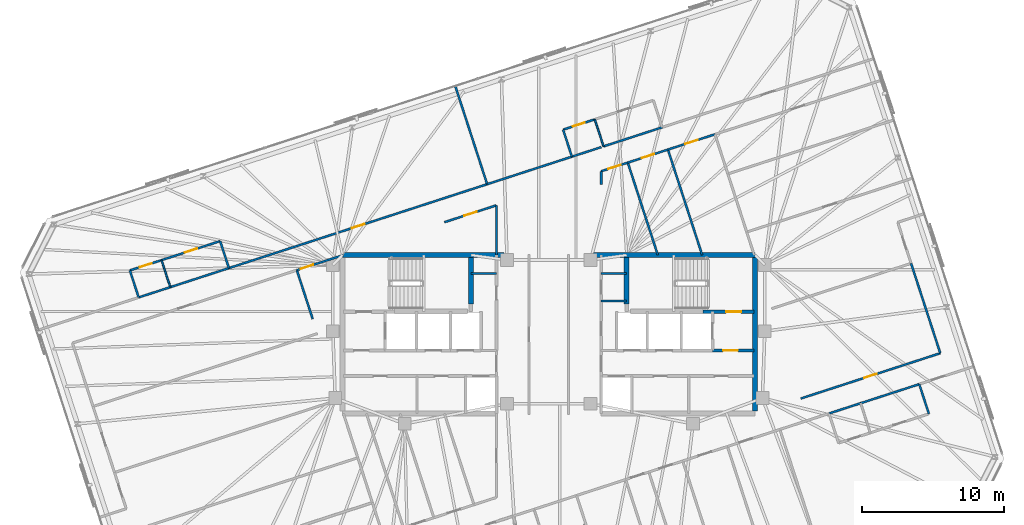
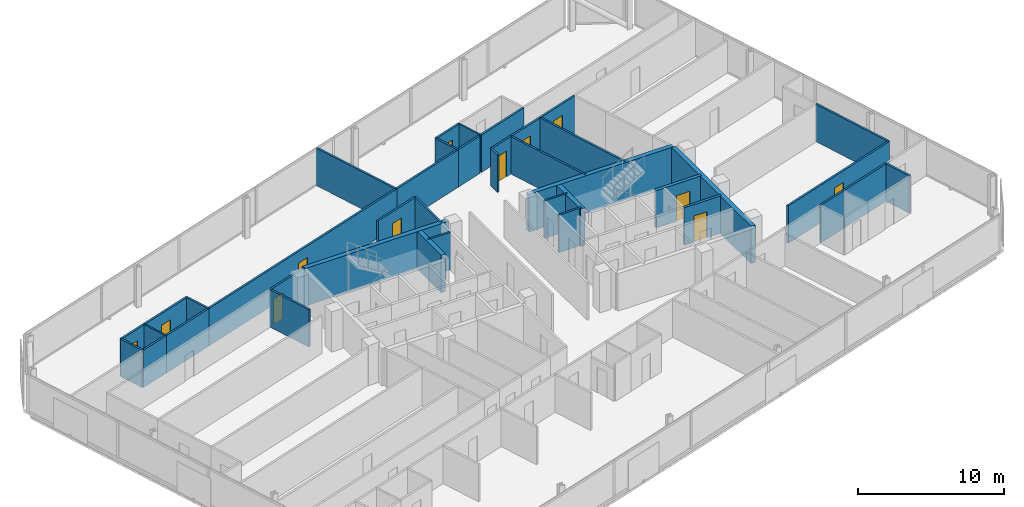
# One storey, part 16 of 19: 40 walls, 12 doors, 12 openings.
"""IFC4 building model written with IfcOpenShell, lengths in metres."""

from ifc_helpers import new_model, si_unit, direction, frame, frame_2d, origin, place, context, subcontext, project, spatial, rectangle, extrude, material, layer, layer_set, type_object, element, fill, save


model = new_model("IFC4")

# Units and contexts
model_context = context("Model", 3, precision=1e-05, world=origin(), true_north=direction((0.0, 1.0)))
body_context = subcontext(model_context, "Body", "Model", "MODEL_VIEW")
ifc_project = project(units=[si_unit("LENGTHUNIT", "METRE"), si_unit("AREAUNIT", "SQUARE_METRE"), si_unit("VOLUMEUNIT", "CUBIC_METRE"), si_unit("PLANEANGLEUNIT", "RADIAN"), si_unit("MASSUNIT", "GRAM", prefix="KILO")], contexts=[model_context])

# Site, building, storey
site_placement = place(None, origin())
site = spatial("IfcSite", under=ifc_project, at=site_placement, CompositionType="ELEMENT")
building_placement = place(site_placement, origin())
building = spatial("IfcBuilding", under=site, at=building_placement, Name="Menara Jurai Vektor", CompositionType="ELEMENT")
storey_placement = place(building_placement, frame((0.0, 0.0, 214.25)))
storey = spatial("IfcBuildingStorey", under=building, at=storey_placement, Name="L56", CompositionType="ELEMENT", Elevation=214.25)

# Wall, opening, door
ifc_material_1 = material(Name="Concrete C40/50", Category="concrete")
ifc_layer_1 = layer(ifc_material_1, 0.25)
ifc_layer_set_1 = layer_set([ifc_layer_1], Name="Concrete C40/50")
wall_type_1 = type_object("IfcWallType", Name="INT-WALL-CORE-250", PredefinedType="STANDARD", material=ifc_layer_set_1)
wall_1_placement = place(storey_placement, frame((10.89990234375, 1.60009765625, 0.0), z_axis=(0.0, 0.0, 1.0), x_axis=(1.0, 0.0, 0.0)))
wall_1 = element("IfcWall", 1, at=wall_1_placement, inside=storey, type_object=wall_type_1, Name="Interior Wall IW-250 L56", PredefinedType="STANDARD", context=body_context, shape_type="SweptSolid", body=[
    extrude(rectangle(XDim=3.60009765625, YDim=0.25, at=frame_2d((1.800048828125, 0.0))), origin(), (0.0, 0.0, 1.0), 3.125),
])
opening_1_placement = place(wall_1_placement, frame((1.6201171875, 0.0, 0.0)))
opening_1 = element("IfcOpeningElement", 2, at=opening_1_placement, cuts=wall_1, Name="Opening D-L56-ST2", PredefinedType="OPENING", context=body_context, shape_type="SweptSolid", body=[
    extrude(rectangle(XDim=1.050048828125, YDim=2.14990234375, at=frame_2d((0.52490234375, 1.074951171875))), frame((0.0, 0.135009765625, 0.0), z_axis=(0.0, -1.0, 0.0), x_axis=(1.0, 0.0, 0.0)), (0.0, 0.0, 1.0), 0.27001953125),
])
ifc_material_2 = material(Name="Fire-Rated Steel Door", Category="steel")
door_type_1 = type_object("IfcDoorType", Name="DR-STAIR-1050", OperationType="NOTDEFINED", PredefinedType="DOOR", material=ifc_material_2)
door_1_placement = place(opening_1_placement, origin())
door_1 = element("IfcDoor", 3, at=door_1_placement, inside=storey, type_object=door_type_1, Name="Exit Stair ST2 Door L56", OperationType="SINGLE_SWING_LEFT", OverallHeight=2.14990234375, OverallWidth=1.050048828125, PredefinedType="DOOR", context=body_context, shape_type="SweptSolid", body=[
    extrude(rectangle(XDim=1.050048828125, YDim=2.14990234375, at=frame_2d((0.52490234375, 1.074951171875))), frame((0.0, 0.02490234375, 0.0), z_axis=(0.0, -1.0, 0.0), x_axis=(1.0, 0.0, 0.0)), (0.0, 0.0, 1.0), 0.050048828125),
])
fill(opening_1, door_1)

wall_2_placement = place(storey_placement, frame((11.550048828125, -1.14990234375, 0.0), z_axis=(0.0, 0.0, 1.0), x_axis=(1.0, 0.0, 0.0)))
wall_2 = element("IfcWall", 4, at=wall_2_placement, inside=storey, type_object=wall_type_1, Name="Interior Wall IW-250 L56", PredefinedType="STANDARD", context=body_context, shape_type="SweptSolid", body=[
    extrude(rectangle(XDim=2.949951171875, YDim=0.199951171875, at=frame_2d((1.47509765625, 0.0))), origin(), (0.0, 0.0, 1.0), 3.125),
])
opening_2_placement = place(wall_2_placement, frame((0.75, 0.0, 0.0)))
opening_2 = element("IfcOpeningElement", 5, at=opening_2_placement, cuts=wall_2, Name="Opening D-L56-FFE", PredefinedType="OPENING", context=body_context, shape_type="SweptSolid", body=[
    extrude(rectangle(XDim=1.050048828125, YDim=2.179931640625, at=frame_2d((0.52490234375, 1.08984375))), frame((0.0, 0.10986328125, 0.0), z_axis=(0.0, -1.0, 0.0), x_axis=(1.0, 0.0, 0.0)), (0.0, 0.0, 1.0), 0.219970703125),
])
ifc_material_3 = material(Name="Fire-Rated Timber Door", Category="wood")
door_type_2 = type_object("IfcDoorType", Name="DR-LOBBY-1050", OperationType="NOTDEFINED", PredefinedType="DOOR", material=ifc_material_3)
door_2_placement = place(opening_2_placement, origin())
door_2 = element("IfcDoor", 6, at=door_2_placement, inside=storey, type_object=door_type_2, Name="Fire Lift Lobby Door E L56", OperationType="SINGLE_SWING_LEFT", OverallHeight=2.179931640625, OverallWidth=1.050048828125, PredefinedType="DOOR", context=body_context, shape_type="SweptSolid", body=[
    extrude(rectangle(XDim=1.050048828125, YDim=2.179931640625, at=frame_2d((0.52490234375, 1.08984375))), frame((0.0, 0.02490234375, 0.0), z_axis=(0.0, -1.0, 0.0), x_axis=(1.0, 0.0, 0.0)), (0.0, 0.0, 1.0), 0.050048828125),
])
fill(opening_2, door_2)

# Walls
ifc_material_4 = material(Name="Gypsum Fireboard Partition", Category="gypsum")
ifc_layer_2 = layer(ifc_material_4, 0.14990234375)
ifc_layer_set_2 = layer_set([ifc_layer_2], Name="Gypsum Fireboard Partition")
wall_type_2 = type_object("IfcWallType", Name="INT-WALL-CORR-150", PredefinedType="PARTITIONING", material=ifc_layer_set_2)
for number, where, z_axis, x_axis, name in (
    (7, (-5.5, 4.300048828125, 0.0), (0.0, 0.0, 1.0), (1.0, 0.0, 0.0), "Interior Wall IW-150 L56"),
    (8, (3.699951171875, 4.300048828125, 0.0), (0.0, 0.0, 1.0), (1.0, 0.0, 0.0), "Interior Wall IW-150 L56"),
    (9, (3.699951171875, 2.35009765625, 0.0), (0.0, 0.0, 1.0), (1.0, 0.0, 0.0), "Interior Wall IW-150 L56"),
):
    element("IfcWall", number, at=place(storey_placement, frame(where, z_axis=z_axis, x_axis=x_axis)), inside=storey, type_object=wall_type_2, Name=name, PredefinedType="PARTITIONING", context=body_context, shape_type="SweptSolid", body=[
        extrude(rectangle(XDim=1.800048828125, YDim=0.14990234375, at=frame_2d((0.89990234375, 0.0))), origin(), (0.0, 0.0, 1.0), 3.125),
    ])

# Wall, opening, door
wall_3_placement = place(storey_placement, frame((-22.586181640625, 4.676513671875, 0.0), z_axis=(0.0, 0.0, 1.0), x_axis=(0.951057743275, 0.309013218095, 0.0)))
wall_3 = element("IfcWall", 10, at=wall_3_placement, inside=storey, type_object=wall_type_2, Name="Interior Wall IW-150 L56", PredefinedType="PARTITIONING", context=body_context, shape_type="SweptSolid", body=[
    extrude(rectangle(XDim=19.1708984375, YDim=0.14990234375, at=frame_2d((9.58544921875, 0.0))), origin(), (0.0, 0.0, 1.0), 3.125),
])
opening_3_placement = place(wall_3_placement, frame((9.110595703125, 0.0, 0.0)))
opening_3 = element("IfcOpeningElement", 11, at=opening_3_placement, cuts=wall_3, Name="Opening D56-09", PredefinedType="OPENING", context=body_context, shape_type="SweptSolid", body=[
    extrude(rectangle(XDim=0.949951171875, YDim=2.14990234375, at=frame_2d((0.47509765625, 1.074951171875))), frame((0.0, 0.0849609375, 0.0), z_axis=(0.0, -1.0, 0.0), x_axis=(1.0, 0.0, 0.0)), (0.0, 0.0, 1.0), 0.169921875),
])
ifc_material_5 = material(Name="Solid Core Timber Fire Door", Category="wood")
door_type_3 = type_object("IfcDoorType", Name="DR-ENTRY-950", OperationType="NOTDEFINED", PredefinedType="DOOR", material=ifc_material_5)
door_3_placement = place(opening_3_placement, origin())
door_3 = element("IfcDoor", 12, at=door_3_placement, inside=storey, type_object=door_type_3, Name="Interior Door D56-09", OperationType="SINGLE_SWING_RIGHT", OverallHeight=2.14990234375, OverallWidth=0.949951171875, PredefinedType="DOOR", context=body_context, shape_type="SweptSolid", body=[
    extrude(rectangle(XDim=0.949951171875, YDim=2.14990234375, at=frame_2d((0.47509765625, 1.074951171875))), frame((0.0, 0.02490234375, 0.0), z_axis=(0.0, -1.0, 0.0), x_axis=(1.0, 0.0, 0.0)), (0.0, 0.0, 1.0), 0.050048828125),
])
fill(opening_3, door_3)

# Walls
wall_4_placement = place(storey_placement, frame((-28.958251953125, 2.606201171875, 0.0), z_axis=(0.0, 0.0, 1.0), x_axis=(0.951076048914, 0.308956872689, 0.0)))
element("IfcWall", 13, at=wall_4_placement, inside=storey, type_object=wall_type_2, Name="Interior Wall IW-150 L56", PredefinedType="PARTITIONING", context=body_context, shape_type="SweptSolid", body=[
    extrude(rectangle(XDim=2.35009765625, YDim=0.14990234375, at=frame_2d((1.175048828125, 0.0))), origin(), (0.0, 0.0, 1.0), 3.125),
])
wall_5_placement = place(storey_placement, frame((-26.72314453125, 3.332275390625, 0.0), z_axis=(0.0, 0.0, 1.0), x_axis=(0.951052627573, 0.309028962374, 0.0)))
element("IfcWall", 14, at=wall_5_placement, inside=storey, type_object=wall_type_2, Name="Interior Wall IW-150 L56", PredefinedType="PARTITIONING", context=body_context, shape_type="SweptSolid", body=[
    extrude(rectangle(XDim=4.349853515625, YDim=0.14990234375, at=frame_2d((2.1748046875, 0.0))), origin(), (0.0, 0.0, 1.0), 3.125),
])
wall_6_placement = place(storey_placement, frame((-4.353515625, 10.6005859375, 0.0), z_axis=(0.0, 0.0, 1.0), x_axis=(0.951050896078, 0.30903429109, 0.0)))
element("IfcWall", 15, at=wall_6_placement, inside=storey, type_object=wall_type_2, Name="Interior Wall IW-150 L56", PredefinedType="PARTITIONING", context=body_context, shape_type="SweptSolid", body=[
    extrude(rectangle(XDim=6.2900390625, YDim=0.14990234375, at=frame_2d((3.14501953125, 0.0))), origin(), (0.0, 0.0, 1.0), 3.125),
])
wall_7_placement = place(storey_placement, frame((1.628662109375, 12.54443359375, 0.0), z_axis=(0.0, 0.0, 1.0), x_axis=(0.951087596826, 0.308921321963, 0.0)))
element("IfcWall", 16, at=wall_7_placement, inside=storey, type_object=wall_type_2, Name="Interior Wall IW-150 L56", PredefinedType="PARTITIONING", context=body_context, shape_type="SweptSolid", body=[
    extrude(rectangle(XDim=2.177978515625, YDim=0.14990234375, at=frame_2d((1.0888671875, 0.0))), origin(), (0.0, 0.0, 1.0), 3.125),
])
wall_8_placement = place(storey_placement, frame((3.86376953125, 13.2705078125, 0.0), z_axis=(0.0, 0.0, 1.0), x_axis=(0.951052627573, 0.309028962374, 0.0)))
element("IfcWall", 17, at=wall_8_placement, inside=storey, type_object=wall_type_2, Name="Interior Wall IW-150 L56", PredefinedType="PARTITIONING", context=body_context, shape_type="SweptSolid", body=[
    extrude(rectangle(XDim=4.349853515625, YDim=0.14990234375, at=frame_2d((2.1748046875, 0.0))), origin(), (0.0, 0.0, 1.0), 3.125),
])
wall_9_placement = place(storey_placement, frame((19.7802734375, -5.587890625, 0.0), z_axis=(0.0, 0.0, 1.0), x_axis=(0.951076048914, 0.308956872689, 0.0)))
element("IfcWall", 18, at=wall_9_placement, inside=storey, type_object=wall_type_2, Name="Interior Wall IW-150 L56", PredefinedType="PARTITIONING", context=body_context, shape_type="SweptSolid", body=[
    extrude(rectangle(XDim=2.35009765625, YDim=0.14990234375, at=frame_2d((1.175048828125, 0.0))), origin(), (0.0, 0.0, 1.0), 3.125),
])
wall_10_placement = place(storey_placement, frame((22.015380859375, -4.86181640625, 0.0), z_axis=(0.0, 0.0, 1.0), x_axis=(0.951052627573, 0.309028962374, 0.0)))
element("IfcWall", 19, at=wall_10_placement, inside=storey, type_object=wall_type_2, Name="Interior Wall IW-150 L56", PredefinedType="PARTITIONING", context=body_context, shape_type="SweptSolid", body=[
    extrude(rectangle(XDim=4.349853515625, YDim=0.14990234375, at=frame_2d((2.1748046875, 0.0))), origin(), (0.0, 0.0, 1.0), 3.125),
])
wall_11_placement = place(storey_placement, frame((3.7001953125, 10.586669921875, 0.0), z_axis=(0.0, 0.0, 1.0), x_axis=(-0.000789889169, 0.999999688038, 0.0)))
element("IfcWall", 20, at=wall_11_placement, inside=storey, type_object=wall_type_2, Name="Interior Wall IW-150 L56", PredefinedType="PARTITIONING", context=body_context, shape_type="SweptSolid", body=[
    extrude(rectangle(XDim=0.92724609375, YDim=0.14990234375, at=frame_2d((0.463623046875, 0.0))), origin(), (0.0, 0.0, 1.0), 3.125),
])

# Wall, opening, door
wall_12_placement = place(storey_placement, frame((3.699462890625, 11.513916015625, 0.0), z_axis=(0.0, 0.0, 1.0), x_axis=(0.951068617763, 0.308979747405, 0.0)))
wall_12 = element("IfcWall", 21, at=wall_12_placement, inside=storey, type_object=wall_type_2, Name="Interior Wall IW-150 L56", PredefinedType="PARTITIONING", context=body_context, shape_type="SweptSolid", body=[
    extrude(rectangle(XDim=1.972900390625, YDim=0.14990234375, at=frame_2d((0.986328125, 0.0))), origin(), (0.0, 0.0, 1.0), 3.125),
])
opening_4_placement = place(wall_12_placement, frame((0.526611328125, 0.0, 0.0)))
opening_4 = element("IfcOpeningElement", 22, at=opening_4_placement, cuts=wall_12, Name="Opening D56-39", PredefinedType="OPENING", context=body_context, shape_type="SweptSolid", body=[
    extrude(rectangle(XDim=0.919921875, YDim=2.14990234375, at=frame_2d((0.4599609375, 1.074951171875))), frame((0.0, 0.0849609375, 0.0), z_axis=(0.0, -1.0, 0.0), x_axis=(1.0, 0.0, 0.0)), (0.0, 0.0, 1.0), 0.169921875),
])
door_4_placement = place(opening_4_placement, origin())
door_4 = element("IfcDoor", 23, at=door_4_placement, inside=storey, type_object=door_type_3, Name="Interior Door D56-39", OperationType="SINGLE_SWING_RIGHT", OverallHeight=2.14990234375, OverallWidth=0.919921875, PredefinedType="DOOR", context=body_context, shape_type="SweptSolid", body=[
    extrude(rectangle(XDim=0.919921875, YDim=2.14990234375, at=frame_2d((0.4599609375, 1.074951171875))), frame((0.0, 0.02490234375, 0.0), z_axis=(0.0, -1.0, 0.0), x_axis=(1.0, 0.0, 0.0)), (0.0, 0.0, 1.0), 0.050048828125),
])
fill(opening_4, door_4)

wall_13_placement = place(storey_placement, frame((5.575927734375, 12.12353515625, 0.0), z_axis=(0.0, 0.0, 1.0), x_axis=(0.951049123732, 0.309039745419, 0.0)))
wall_13 = element("IfcWall", 24, at=wall_13_placement, inside=storey, type_object=wall_type_2, Name="Interior Wall IW-150 L56", PredefinedType="PARTITIONING", context=body_context, shape_type="SweptSolid", body=[
    extrude(rectangle(XDim=2.97900390625, YDim=0.14990234375, at=frame_2d((1.489501953125, 0.0))), origin(), (0.0, 0.0, 1.0), 3.125),
])
opening_5_placement = place(wall_13_placement, frame((1.029541015625, 0.0, 0.0)))
opening_5 = element("IfcOpeningElement", 25, at=opening_5_placement, cuts=wall_13, Name="Opening D56-40", PredefinedType="OPENING", context=body_context, shape_type="SweptSolid", body=[
    extrude(rectangle(XDim=0.919921875, YDim=2.14990234375, at=frame_2d((0.4599609375, 1.074951171875))), frame((0.0, 0.0849609375, 0.0), z_axis=(0.0, -1.0, 0.0), x_axis=(1.0, 0.0, 0.0)), (0.0, 0.0, 1.0), 0.169921875),
])
door_5_placement = place(opening_5_placement, origin())
door_5 = element("IfcDoor", 26, at=door_5_placement, inside=storey, type_object=door_type_3, Name="Interior Door D56-40", OperationType="SINGLE_SWING_LEFT", OverallHeight=2.14990234375, OverallWidth=0.919921875, PredefinedType="DOOR", context=body_context, shape_type="SweptSolid", body=[
    extrude(rectangle(XDim=0.919921875, YDim=2.14990234375, at=frame_2d((0.4599609375, 1.074951171875))), frame((0.0, 0.02490234375, 0.0), z_axis=(0.0, -1.0, 0.0), x_axis=(1.0, 0.0, 0.0)), (0.0, 0.0, 1.0), 0.050048828125),
])
fill(opening_5, door_5)

wall_14_placement = place(storey_placement, frame((8.4091796875, 13.044189453125, 0.0), z_axis=(0.0, 0.0, 1.0), x_axis=(0.951054104561, 0.309024416831, 0.0)))
wall_14 = element("IfcWall", 27, at=wall_14_placement, inside=storey, type_object=wall_type_2, Name="Interior Wall IW-150 L56", PredefinedType="PARTITIONING", context=body_context, shape_type="SweptSolid", body=[
    extrude(rectangle(XDim=3.491943359375, YDim=0.14990234375, at=frame_2d((1.74609375, 0.0))), origin(), (0.0, 0.0, 1.0), 3.125),
])
opening_6_placement = place(wall_14_placement, frame((1.285888671875, 0.0, 0.0)))
opening_6 = element("IfcOpeningElement", 28, at=opening_6_placement, cuts=wall_14, Name="Opening D56-41", PredefinedType="OPENING", context=body_context, shape_type="SweptSolid", body=[
    extrude(rectangle(XDim=0.919921875, YDim=2.14990234375, at=frame_2d((0.4599609375, 1.074951171875))), frame((0.0, 0.0849609375, 0.0), z_axis=(0.0, -1.0, 0.0), x_axis=(1.0, 0.0, 0.0)), (0.0, 0.0, 1.0), 0.169921875),
])
door_6_placement = place(opening_6_placement, origin())
door_6 = element("IfcDoor", 29, at=door_6_placement, inside=storey, type_object=door_type_3, Name="Interior Door D56-41", OperationType="SINGLE_SWING_RIGHT", OverallHeight=2.14990234375, OverallWidth=0.919921875, PredefinedType="DOOR", context=body_context, shape_type="SweptSolid", body=[
    extrude(rectangle(XDim=0.919921875, YDim=2.14990234375, at=frame_2d((0.4599609375, 1.074951171875))), frame((0.0, 0.02490234375, 0.0), z_axis=(0.0, -1.0, 0.0), x_axis=(1.0, 0.0, 0.0)), (0.0, 0.0, 1.0), 0.050048828125),
])
fill(opening_6, door_6)

wall_15_placement = place(storey_placement, frame((-17.79150390625, 4.531005859375, 0.0), z_axis=(0.0, 0.0, 1.0), x_axis=(0.951047546178, 0.309044600193, 0.0)))
wall_15 = element("IfcWall", 30, at=wall_15_placement, inside=storey, type_object=wall_type_2, Name="Interior Wall IW-150 L56", PredefinedType="PARTITIONING", context=body_context, shape_type="SweptSolid", body=[
    extrude(rectangle(XDim=3.4609375, YDim=0.14990234375, at=frame_2d((1.73046875, 0.0))), origin(), (0.0, 0.0, 1.0), 3.125),
])
opening_7_placement = place(wall_15_placement, frame((0.301513671875, 0.0, 0.0)))
opening_7 = element("IfcOpeningElement", 31, at=opening_7_placement, cuts=wall_15, Name="Opening D56-42", PredefinedType="OPENING", context=body_context, shape_type="SweptSolid", body=[
    extrude(rectangle(XDim=0.919921875, YDim=2.14990234375, at=frame_2d((0.4599609375, 1.074951171875))), frame((0.0, 0.0849609375, 0.0), z_axis=(0.0, -1.0, 0.0), x_axis=(1.0, 0.0, 0.0)), (0.0, 0.0, 1.0), 0.169921875),
])
door_7_placement = place(opening_7_placement, origin())
door_7 = element("IfcDoor", 32, at=door_7_placement, inside=storey, type_object=door_type_3, Name="Interior Door D56-42", OperationType="SINGLE_SWING_LEFT", OverallHeight=2.14990234375, OverallWidth=0.919921875, PredefinedType="DOOR", context=body_context, shape_type="SweptSolid", body=[
    extrude(rectangle(XDim=0.919921875, YDim=2.14990234375, at=frame_2d((0.4599609375, 1.074951171875))), frame((0.0, 0.02490234375, 0.0), z_axis=(0.0, -1.0, 0.0), x_axis=(1.0, 0.0, 0.0)), (0.0, 0.0, 1.0), 0.050048828125),
])
fill(opening_7, door_7)

wall_16_placement = place(storey_placement, frame((-7.37158203125, 7.91650390625, 0.0), z_axis=(0.0, 0.0, 1.0), x_axis=(0.951052654993, 0.309028877989, 0.0)))
wall_16 = element("IfcWall", 33, at=wall_16_placement, inside=storey, type_object=wall_type_2, Name="Interior Wall IW-150 L56", PredefinedType="PARTITIONING", context=body_context, shape_type="SweptSolid", body=[
    extrude(rectangle(XDim=3.86083984375, YDim=0.14990234375, at=frame_2d((1.930419921875, 0.0))), origin(), (0.0, 0.0, 1.0), 3.125),
])
opening_8_placement = place(wall_16_placement, frame((1.470458984375, 0.0, 0.0)))
opening_8 = element("IfcOpeningElement", 34, at=opening_8_placement, cuts=wall_16, Name="Opening D56-43", PredefinedType="OPENING", context=body_context, shape_type="SweptSolid", body=[
    extrude(rectangle(XDim=0.919921875, YDim=2.14990234375, at=frame_2d((0.4599609375, 1.074951171875))), frame((0.0, 0.0849609375, 0.0), z_axis=(0.0, -1.0, 0.0), x_axis=(1.0, 0.0, 0.0)), (0.0, 0.0, 1.0), 0.169921875),
])
door_8_placement = place(opening_8_placement, origin())
door_8 = element("IfcDoor", 35, at=door_8_placement, inside=storey, type_object=door_type_3, Name="Interior Door D56-43", OperationType="SINGLE_SWING_RIGHT", OverallHeight=2.14990234375, OverallWidth=0.919921875, PredefinedType="DOOR", context=body_context, shape_type="SweptSolid", body=[
    extrude(rectangle(XDim=0.919921875, YDim=2.14990234375, at=frame_2d((0.4599609375, 1.074951171875))), frame((0.0, 0.02490234375, 0.0), z_axis=(0.0, -1.0, 0.0), x_axis=(1.0, 0.0, 0.0)), (0.0, 0.0, 1.0), 0.050048828125),
])
fill(opening_8, door_8)

# Wall
wall_17_placement = place(storey_placement, frame((-3.7001953125, 5.599853515625, 0.0), z_axis=(0.0, 0.0, 1.0), x_axis=(0.000139120755, 0.999999990323, 0.0)))
element("IfcWall", 36, at=wall_17_placement, inside=storey, type_object=wall_type_2, Name="Interior Wall IW-150 L56", PredefinedType="PARTITIONING", context=body_context, shape_type="SweptSolid", body=[
    extrude(rectangle(XDim=3.509765625, YDim=0.14990234375, at=frame_2d((1.7548828125, 0.0))), origin(), (0.0, 0.0, 1.0), 3.125),
])

# Wall, opening, door
wall_18_placement = place(storey_placement, frame((17.791259765625, -4.53076171875, 0.0), z_axis=(0.0, 0.0, 1.0), x_axis=(0.951056769902, 0.309016213852, 0.0)))
wall_18 = element("IfcWall", 37, at=wall_18_placement, inside=storey, type_object=wall_type_2, Name="Interior Wall IW-150 L56", PredefinedType="PARTITIONING", context=body_context, shape_type="SweptSolid", body=[
    extrude(rectangle(XDim=10.35205078125, YDim=0.14990234375, at=frame_2d((5.176025390625, 0.0))), origin(), (0.0, 0.0, 1.0), 3.125),
])
opening_9_placement = place(wall_18_placement, frame((4.716064453125, 0.0, 0.0)))
opening_9 = element("IfcOpeningElement", 38, at=opening_9_placement, cuts=wall_18, Name="Opening D56-44", PredefinedType="OPENING", context=body_context, shape_type="SweptSolid", body=[
    extrude(rectangle(XDim=0.919921875, YDim=2.14990234375, at=frame_2d((0.4599609375, 1.074951171875))), frame((0.0, 0.0849609375, 0.0), z_axis=(0.0, -1.0, 0.0), x_axis=(1.0, 0.0, 0.0)), (0.0, 0.0, 1.0), 0.169921875),
])
door_9_placement = place(opening_9_placement, origin())
door_9 = element("IfcDoor", 39, at=door_9_placement, inside=storey, type_object=door_type_3, Name="Interior Door D56-44", OperationType="SINGLE_SWING_LEFT", OverallHeight=2.14990234375, OverallWidth=0.919921875, PredefinedType="DOOR", context=body_context, shape_type="SweptSolid", body=[
    extrude(rectangle(XDim=0.919921875, YDim=2.14990234375, at=frame_2d((0.4599609375, 1.074951171875))), frame((0.0, 0.02490234375, 0.0), z_axis=(0.0, -1.0, 0.0), x_axis=(1.0, 0.0, 0.0)), (0.0, 0.0, 1.0), 0.050048828125),
])
fill(opening_9, door_9)

# Walls
wall_19_placement = place(storey_placement, frame((27.63671875, -1.331787109375, 0.0), z_axis=(0.0, 0.0, 1.0), x_axis=(-0.309047166719, 0.951046712177, 0.0)))
element("IfcWall", 40, at=wall_19_placement, inside=storey, type_object=wall_type_2, Name="Interior Wall IW-150 L56", PredefinedType="PARTITIONING", context=body_context, shape_type="SweptSolid", body=[
    extrude(rectangle(XDim=6.6689453125, YDim=0.14990234375, at=frame_2d((3.33447265625, 0.0))), origin(), (0.0, 0.0, 1.0), 3.125),
])
wall_20_placement = place(storey_placement, frame((-28.958251953125, 2.606201171875, 0.0), z_axis=(0.0, 0.0, 1.0), x_axis=(-0.309058537449, 0.951043017129, 0.0)))
element("IfcWall", 41, at=wall_20_placement, inside=storey, type_object=wall_type_2, Name="Interior Wall IW-150 L56", PredefinedType="PARTITIONING", context=body_context, shape_type="SweptSolid", body=[
    extrude(rectangle(XDim=2.0048828125, YDim=0.14990234375, at=frame_2d((1.00244140625, 0.0))), origin(), (0.0, 0.0, 1.0), 3.125),
])

# Wall, opening, door
wall_21_placement = place(storey_placement, frame((-29.577880859375, 4.512939453125, 0.0), z_axis=(0.0, 0.0, 1.0), x_axis=(0.951076048914, 0.308956872689, 0.0)))
wall_21 = element("IfcWall", 42, at=wall_21_placement, inside=storey, type_object=wall_type_2, Name="Interior Wall IW-150 L56", PredefinedType="PARTITIONING", context=body_context, shape_type="SweptSolid", body=[
    extrude(rectangle(XDim=2.35009765625, YDim=0.14990234375, at=frame_2d((1.175048828125, 0.0))), origin(), (0.0, 0.0, 1.0), 3.125),
])
opening_10_placement = place(wall_21_placement, frame((0.735107421875, 0.0, 0.0)))
opening_10 = element("IfcOpeningElement", 43, at=opening_10_placement, cuts=wall_21, Name="Opening D56-10", PredefinedType="OPENING", context=body_context, shape_type="SweptSolid", body=[
    extrude(rectangle(XDim=0.8798828125, YDim=2.14990234375, at=frame_2d((0.43994140625, 1.074951171875))), frame((0.0, 0.0849609375, 0.0), z_axis=(0.0, -1.0, 0.0), x_axis=(1.0, 0.0, 0.0)), (0.0, 0.0, 1.0), 0.169921875),
])
ifc_material_6 = material(Name="Moisture-Resistant Timber Door", Category="wood")
door_type_4 = type_object("IfcDoorType", Name="DR-BATH-880", OperationType="NOTDEFINED", PredefinedType="DOOR", material=ifc_material_6)
door_10_placement = place(opening_10_placement, origin())
door_10 = element("IfcDoor", 44, at=door_10_placement, inside=storey, type_object=door_type_4, Name="Interior Door D56-10", OperationType="SINGLE_SWING_LEFT", OverallHeight=2.14990234375, OverallWidth=0.8798828125, PredefinedType="DOOR", context=body_context, shape_type="SweptSolid", body=[
    extrude(rectangle(XDim=0.8798828125, YDim=2.14990234375, at=frame_2d((0.43994140625, 1.074951171875))), frame((0.0, 0.02490234375, 0.0), z_axis=(0.0, -1.0, 0.0), x_axis=(1.0, 0.0, 0.0)), (0.0, 0.0, 1.0), 0.050048828125),
])
fill(opening_10, door_10)

wall_22_placement = place(storey_placement, frame((-27.3427734375, 5.239013671875, 0.0), z_axis=(0.0, 0.0, 1.0), x_axis=(0.951036130958, 0.309079726951, 0.0)))
wall_22 = element("IfcWall", 45, at=wall_22_placement, inside=storey, type_object=wall_type_2, Name="Interior Wall IW-150 L56", PredefinedType="PARTITIONING", context=body_context, shape_type="SweptSolid", body=[
    extrude(rectangle(XDim=4.349853515625, YDim=0.14990234375, at=frame_2d((2.1748046875, 0.0))), origin(), (0.0, 0.0, 1.0), 3.125),
])
opening_11_placement = place(wall_22_placement, frame((1.72509765625, 0.0, 0.0)))
opening_11 = element("IfcOpeningElement", 46, at=opening_11_placement, cuts=wall_22, Name="Opening D56-11", PredefinedType="OPENING", context=body_context, shape_type="SweptSolid", body=[
    extrude(rectangle(XDim=0.89990234375, YDim=2.14990234375, at=frame_2d((0.449951171875, 1.074951171875))), frame((0.0, 0.0849609375, 0.0), z_axis=(0.0, -1.0, 0.0), x_axis=(1.0, 0.0, 0.0)), (0.0, 0.0, 1.0), 0.169921875),
])
ifc_material_7 = material(Name="Acoustic Timber Interior Door", Category="wood")
door_type_5 = type_object("IfcDoorType", Name="DR-ROOM-900", OperationType="NOTDEFINED", PredefinedType="DOOR", material=ifc_material_7)
door_11_placement = place(opening_11_placement, origin())
door_11 = element("IfcDoor", 47, at=door_11_placement, inside=storey, type_object=door_type_5, Name="Interior Door D56-11", OperationType="SINGLE_SWING_RIGHT", OverallHeight=2.14990234375, OverallWidth=0.89990234375, PredefinedType="DOOR", context=body_context, shape_type="SweptSolid", body=[
    extrude(rectangle(XDim=0.89990234375, YDim=2.14990234375, at=frame_2d((0.449951171875, 1.074951171875))), frame((0.0, 0.02490234375, 0.0), z_axis=(0.0, -1.0, 0.0), x_axis=(1.0, 0.0, 0.0)), (0.0, 0.0, 1.0), 0.050048828125),
])
fill(opening_11, door_11)

# Walls
wall_23_placement = place(storey_placement, frame((-22.586181640625, 4.676513671875, 0.0), z_axis=(0.0, 0.0, 1.0), x_axis=(-0.309022749039, 0.951054646472, 0.0)))
element("IfcWall", 48, at=wall_23_placement, inside=storey, type_object=wall_type_2, Name="Interior Wall IW-150 L56", PredefinedType="PARTITIONING", context=body_context, shape_type="SweptSolid", body=[
    extrude(rectangle(XDim=2.005126953125, YDim=0.14990234375, at=frame_2d((1.00244140625, 0.0))), origin(), (0.0, 0.0, 1.0), 3.125),
])
wall_24_placement = place(storey_placement, frame((-4.353515625, 10.6005859375, 0.0), z_axis=(0.0, 0.0, 1.0), x_axis=(-0.308989064099, 0.951065590939, 0.0)))
element("IfcWall", 49, at=wall_24_placement, inside=storey, type_object=wall_type_2, Name="Interior Wall IW-150 L56", PredefinedType="PARTITIONING", context=body_context, shape_type="SweptSolid", body=[
    extrude(rectangle(XDim=7.2841796875, YDim=0.14990234375, at=frame_2d((3.64208984375, 0.0))), origin(), (0.0, 0.0, 1.0), 3.125),
])
wall_25_placement = place(storey_placement, frame((1.628662109375, 12.54443359375, 0.0), z_axis=(0.0, 0.0, 1.0), x_axis=(-0.309022749039, 0.951054646472, 0.0)))
element("IfcWall", 50, at=wall_25_placement, inside=storey, type_object=wall_type_2, Name="Interior Wall IW-150 L56", PredefinedType="PARTITIONING", context=body_context, shape_type="SweptSolid", body=[
    extrude(rectangle(XDim=2.005126953125, YDim=0.14990234375, at=frame_2d((1.00244140625, 0.0))), origin(), (0.0, 0.0, 1.0), 3.125),
])

# Wall, opening, door
wall_26_placement = place(storey_placement, frame((1.009033203125, 14.451416015625, 0.0), z_axis=(0.0, 0.0, 1.0), x_axis=(0.951076048914, 0.308956872689, 0.0)))
wall_26 = element("IfcWall", 51, at=wall_26_placement, inside=storey, type_object=wall_type_2, Name="Interior Wall IW-150 L56", PredefinedType="PARTITIONING", context=body_context, shape_type="SweptSolid", body=[
    extrude(rectangle(XDim=2.35009765625, YDim=0.14990234375, at=frame_2d((1.175048828125, 0.0))), origin(), (0.0, 0.0, 1.0), 3.125),
])
opening_12_placement = place(wall_26_placement, frame((0.735107421875, 0.0, 0.0)))
opening_12 = element("IfcOpeningElement", 52, at=opening_12_placement, cuts=wall_26, Name="Opening D56-13", PredefinedType="OPENING", context=body_context, shape_type="SweptSolid", body=[
    extrude(rectangle(XDim=0.8798828125, YDim=2.14990234375, at=frame_2d((0.43994140625, 1.074951171875))), frame((0.0, 0.0849609375, 0.0), z_axis=(0.0, -1.0, 0.0), x_axis=(1.0, 0.0, 0.0)), (0.0, 0.0, 1.0), 0.169921875),
])
door_12_placement = place(opening_12_placement, origin())
door_12 = element("IfcDoor", 53, at=door_12_placement, inside=storey, type_object=door_type_4, Name="Interior Door D56-13", OperationType="SINGLE_SWING_RIGHT", OverallHeight=2.14990234375, OverallWidth=0.8798828125, PredefinedType="DOOR", context=body_context, shape_type="SweptSolid", body=[
    extrude(rectangle(XDim=0.8798828125, YDim=2.14990234375, at=frame_2d((0.43994140625, 1.074951171875))), frame((0.0, 0.02490234375, 0.0), z_axis=(0.0, -1.0, 0.0), x_axis=(1.0, 0.0, 0.0)), (0.0, 0.0, 1.0), 0.050048828125),
])
fill(opening_12, door_12)

# Walls
wall_27_placement = place(storey_placement, frame((26.832275390625, -5.60986328125, 0.0), z_axis=(0.0, 0.0, 1.0), x_axis=(-0.309060979314, 0.951042223598, 0.0)))
element("IfcWall", 54, at=wall_27_placement, inside=storey, type_object=wall_type_2, Name="Interior Wall IW-150 L56", PredefinedType="PARTITIONING", context=body_context, shape_type="SweptSolid", body=[
    extrude(rectangle(XDim=2.199951171875, YDim=0.14990234375, at=frame_2d((1.10009765625, 0.0))), origin(), (0.0, 0.0, 1.0), 3.125),
])
wall_28_placement = place(storey_placement, frame((-16.67236328125, 1.086181640625, 0.0), z_axis=(0.0, 0.0, 1.0), x_axis=(-0.308979382511, 0.951068736308, 0.0)))
element("IfcWall", 55, at=wall_28_placement, inside=storey, type_object=wall_type_2, Name="Interior Wall IW-150 L56", PredefinedType="PARTITIONING", context=body_context, shape_type="SweptSolid", body=[
    extrude(rectangle(XDim=3.6220703125, YDim=0.14990234375, at=frame_2d((1.81103515625, 0.0))), origin(), (0.0, 0.0, 1.0), 3.125),
])
wall_29_placement = place(storey_placement, frame((7.69580078125, 5.599365234375, 0.0), z_axis=(0.0, 0.0, 1.0), x_axis=(-0.309022497646, 0.951054728157, 0.0)))
element("IfcWall", 56, at=wall_29_placement, inside=storey, type_object=wall_type_2, Name="Interior Wall IW-150 L56", PredefinedType="PARTITIONING", context=body_context, shape_type="SweptSolid", body=[
    extrude(rectangle(XDim=6.85986328125, YDim=0.14990234375, at=frame_2d((3.429931640625, 0.0))), origin(), (0.0, 0.0, 1.0), 3.125),
])
wall_30_placement = place(storey_placement, frame((10.827880859375, 5.60009765625, 0.0), z_axis=(0.0, 0.0, 1.0), x_axis=(-0.30901342663, 0.951057675519, 0.0)))
element("IfcWall", 57, at=wall_30_placement, inside=storey, type_object=wall_type_2, Name="Interior Wall IW-150 L56", PredefinedType="PARTITIONING", context=body_context, shape_type="SweptSolid", body=[
    extrude(rectangle(XDim=7.8271484375, YDim=0.14990234375, at=frame_2d((3.91357421875, 0.0))), origin(), (0.0, 0.0, 1.0), 3.125),
])
ifc_material_8 = material(Name="Gypsum Acoustic Stud Partition", Category="gypsum")
ifc_layer_3 = layer(ifc_material_8, 0.1201171875)
ifc_layer_set_3 = layer_set([ifc_layer_3], Name="Gypsum Acoustic Stud Partition")
wall_type_3 = type_object("IfcWallType", Name="INT-WALL-PART-120", PredefinedType="PARTITIONING", material=ifc_layer_set_3)
wall_31_placement = place(storey_placement, frame((-26.72314453125, 3.332275390625, 0.0), z_axis=(0.0, 0.0, 1.0), x_axis=(-0.309058537449, 0.951043017129, 0.0)))
element("IfcWall", 58, at=wall_31_placement, inside=storey, type_object=wall_type_3, Name="Interior Wall IW-120 L56", PredefinedType="PARTITIONING", context=body_context, shape_type="SweptSolid", body=[
    extrude(rectangle(XDim=2.0048828125, YDim=0.1201171875, at=frame_2d((1.00244140625, 0.0))), origin(), (0.0, 0.0, 1.0), 3.125),
])
wall_32_placement = place(storey_placement, frame((3.86376953125, 13.2705078125, 0.0), z_axis=(0.0, 0.0, 1.0), x_axis=(-0.309022749039, 0.951054646472, 0.0)))
element("IfcWall", 59, at=wall_32_placement, inside=storey, type_object=wall_type_3, Name="Interior Wall IW-120 L56", PredefinedType="PARTITIONING", context=body_context, shape_type="SweptSolid", body=[
    extrude(rectangle(XDim=2.005126953125, YDim=0.1201171875, at=frame_2d((1.00244140625, 0.0))), origin(), (0.0, 0.0, 1.0), 3.125),
])
ifc_material_9 = material(Name="Concrete C50/60", Category="concrete")
ifc_layer_4 = layer(ifc_material_9, 0.35009765625)
ifc_layer_set_4 = layer_set([ifc_layer_4], Name="Concrete C50/60")
wall_type_4 = type_object("IfcWallType", Name="STR-WALL-CORE350", PredefinedType="SHEAR", material=ifc_layer_set_4)
wall_33_placement = place(storey_placement, frame((-14.56005859375, 5.60009765625, 0.0), z_axis=(0.0, 0.0, 1.0), x_axis=(1.0, 0.0, 0.0)))
element("IfcWall", 60, at=wall_33_placement, inside=storey, type_object=wall_type_4, Name="Core Shear Wall CW-W-N L56", PredefinedType="SHEAR", context=body_context, shape_type="SweptSolid", body=[
    extrude(rectangle(XDim=11.41015625, YDim=0.35009765625, at=frame_2d((5.705078125, 0.0))), origin(), (0.0, 0.0, 1.0), 3.125),
])
wall_34_placement = place(storey_placement, frame((-5.5, 2.14990234375, 0.0), z_axis=(0.0, 0.0, 1.0), x_axis=(0.0, 1.0, 0.0)))
element("IfcWall", 61, at=wall_34_placement, inside=storey, type_object=wall_type_4, Name="Core Shear Wall CW-W-ST L56", PredefinedType="SHEAR", context=body_context, shape_type="SweptSolid", body=[
    extrude(rectangle(XDim=3.275146484375, YDim=0.35009765625, at=frame_2d((1.6376953125, 0.0))), origin(), (0.0, 0.0, 1.0), 3.125),
])
wall_35_placement = place(storey_placement, frame((3.14990234375, 5.60009765625, 0.0), z_axis=(0.0, 0.0, 1.0), x_axis=(1.0, 0.0, 0.0)))
element("IfcWall", 62, at=wall_35_placement, inside=storey, type_object=wall_type_4, Name="Core Shear Wall CW-E-N L56", PredefinedType="SHEAR", context=body_context, shape_type="SweptSolid", body=[
    extrude(rectangle(XDim=11.41015625, YDim=0.35009765625, at=frame_2d((5.705078125, 0.0))), origin(), (0.0, 0.0, 1.0), 3.125),
])
wall_36_placement = place(storey_placement, frame((14.56005859375, -5.425048828125, 0.0), z_axis=(0.0, 0.0, 1.0), x_axis=(0.0, 1.0, 0.0)))
element("IfcWall", 63, at=wall_36_placement, inside=storey, type_object=wall_type_4, Name="Core Shear Wall CW-E-E L56", PredefinedType="SHEAR", context=body_context, shape_type="SweptSolid", body=[
    extrude(rectangle(XDim=10.85009765625, YDim=0.35009765625, at=frame_2d((5.425048828125, 0.0))), origin(), (0.0, 0.0, 1.0), 3.125),
])
wall_37_placement = place(storey_placement, frame((5.5, 2.14990234375, 0.0), z_axis=(0.0, 0.0, 1.0), x_axis=(0.0, 1.0, 0.0)))
element("IfcWall", 64, at=wall_37_placement, inside=storey, type_object=wall_type_4, Name="Core Shear Wall CW-E-ST L56", PredefinedType="SHEAR", context=body_context, shape_type="SweptSolid", body=[
    extrude(rectangle(XDim=3.275146484375, YDim=0.35009765625, at=frame_2d((1.6376953125, 0.0))), origin(), (0.0, 0.0, 1.0), 3.125),
])

save(model, "model.ifc")
